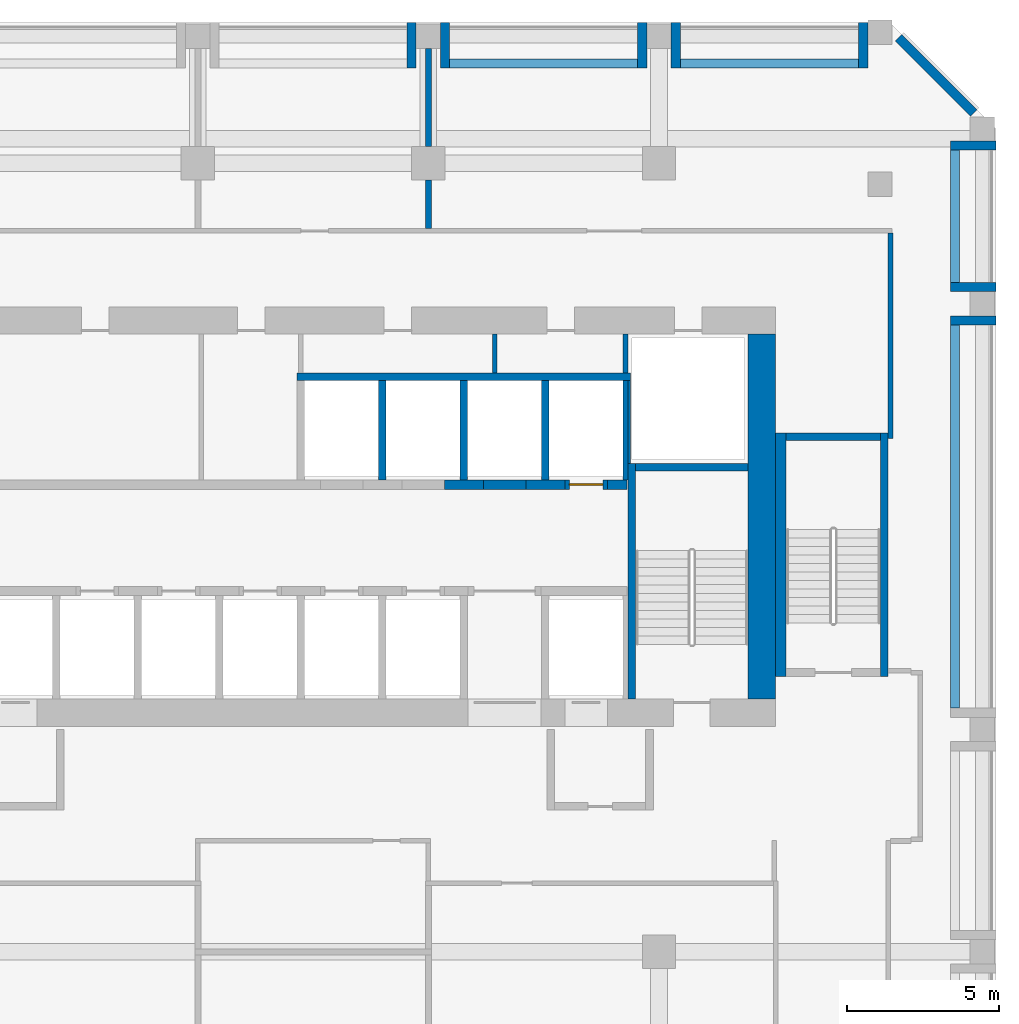
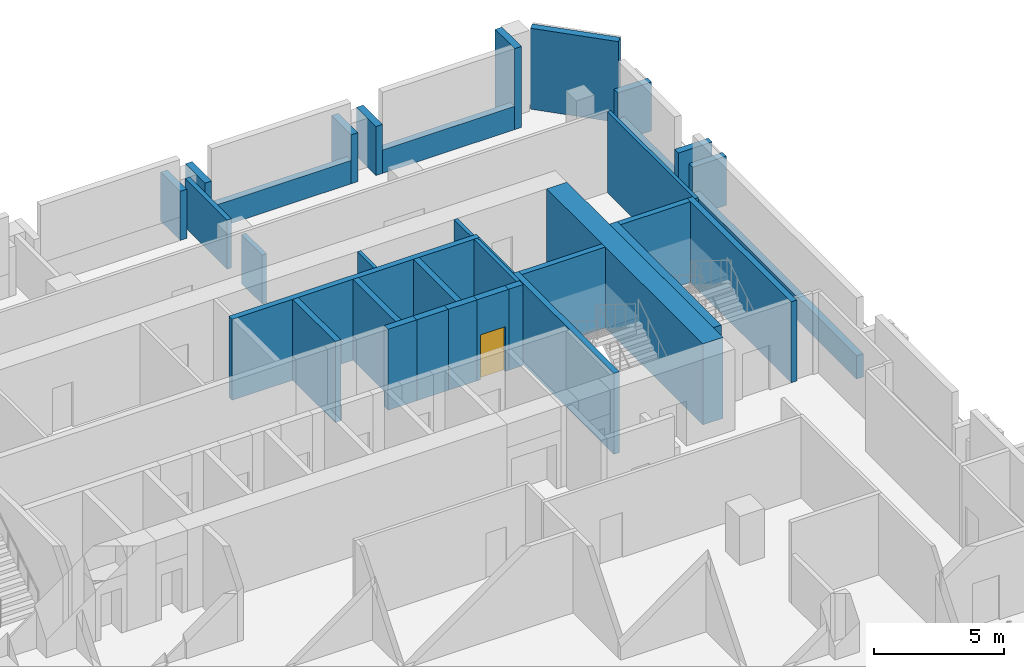
# One storey, part 6 of 10: 35 walls, 1 door, 1 opening.
"""IFC4 building model written with IfcOpenShell, lengths in metres."""

from ifc_helpers import new_model, si_unit, direction, frame, frame_2d, origin, place, context, subcontext, project, spatial, rectangle, extrude, source, transform, mapped, material, layer, layer_set, type_object, element, fill, save


model = new_model("IFC4")

# Units and contexts
model_context = context("Model", 3, precision=1e-05, world=origin(), true_north=direction((0.0, 1.0)))
body_context = subcontext(model_context, "Body", "Model", "MODEL_VIEW")
ifc_project = project(units=[si_unit("LENGTHUNIT", "METRE"), si_unit("AREAUNIT", "SQUARE_METRE"), si_unit("VOLUMEUNIT", "CUBIC_METRE"), si_unit("PLANEANGLEUNIT", "RADIAN"), si_unit("MASSUNIT", "GRAM", prefix="KILO")], contexts=[model_context])

# Site, building, storey
site_placement = place(None, origin())
site = spatial("IfcSite", under=ifc_project, at=site_placement, CompositionType="ELEMENT")
building_placement = place(site_placement, origin())
building = spatial("IfcBuilding", under=site, at=building_placement, Name="Kilnfold Tower and Market Hall", CompositionType="ELEMENT")
storey_placement = place(building_placement, frame((0.0, 0.0, 164.300048828125)))
storey = spatial("IfcBuildingStorey", under=building, at=storey_placement, Name="L38 Plant Transfer Level", CompositionType="ELEMENT", Elevation=164.300048828125)

# Walls
ifc_material_1 = material(Name="Gypsum board on steel studs", Category="steel")
ifc_layer_1 = layer(ifc_material_1, 0.14990234375)
ifc_layer_set_1 = layer_set([ifc_layer_1], Name="Gypsum board on steel studs")
wall_type_1 = type_object("IfcWallType", Name="WALL CORRIDOR 150", PredefinedType="PARTITIONING", material=ifc_layer_set_1)
wall_1_placement = place(storey_placement, frame((21.780029296875, 17.574951171875, 0.0), z_axis=(0.0, 0.0, 1.0), x_axis=(0.0, 1.0, 0.0)))
element("IfcWall", 1, at=wall_1_placement, inside=storey, type_object=wall_type_1, Name="Partition LY25.21", PredefinedType="PARTITIONING", context=body_context, shape_type="SweptSolid", body=[
    extrude(rectangle(XDim=6.75, YDim=0.14990234375, at=frame_2d((3.375, 0.0))), origin(), (0.0, 0.0, 1.0), 3.800048828125),
])
ifc_material_2 = material(Name="Gypsum board on steel studs", Category="steel")
ifc_layer_2 = layer(ifc_material_2, 0.199951171875)
ifc_layer_set_2 = layer_set([ifc_layer_2], Name="Gypsum board on steel studs")
wall_type_2 = type_object("IfcWallType", Name="WALL PARTY 200", PredefinedType="PARTITIONING", material=ifc_layer_set_2)
wall_2_placement = place(storey_placement, frame((6.5830078125, 24.47607421875, 0.0), z_axis=(0.0, 0.0, 1.0), x_axis=(0.0, 1.0, 0.0)))
element("IfcWall", 2, at=wall_2_placement, inside=storey, type_object=wall_type_2, Name="Partition LY25.52", PredefinedType="PARTITIONING", context=body_context, shape_type="SweptSolid", body=[
    extrude(rectangle(XDim=1.598876953125, YDim=0.199951171875, at=frame_2d((0.79931640625, 0.0))), origin(), (0.0, 0.0, 1.0), 2.300048828125),
])
wall_3_placement = place(storey_placement, frame((6.5830078125, 27.175048828125, 0.0), z_axis=(0.0, 0.0, 1.0), x_axis=(0.0, 1.0, 0.0)))
element("IfcWall", 3, at=wall_3_placement, inside=storey, type_object=wall_type_2, Name="Partition LY25.53", PredefinedType="PARTITIONING", context=body_context, shape_type="SweptSolid", body=[
    extrude(rectangle(XDim=3.224853515625, YDim=0.199951171875, at=frame_2d((1.6123046875, 0.0))), origin(), (0.0, 0.0, 1.0), 2.300048828125),
])
ifc_material_3 = material(Name="Concrete C70", Category="concrete")
ifc_layer_3 = layer(ifc_material_3, 0.25)
ifc_layer_set_3 = layer_set([ifc_layer_3], Name="Concrete C70")
wall_type_3 = type_object("IfcWallType", Name="CORE WALL 250 C70", PredefinedType="SHEAR", material=ifc_layer_set_3)
shared_shape_1 = source(origin(), body_context, "Body", "SweptSolid", [
    extrude(rectangle(XDim=7.75, YDim=0.25, at=frame_2d((3.875, 0.0))), origin(), (0.0, 0.0, 1.0), 3.800048828125),
])
wall_4_placement = place(storey_placement, frame((13.27490234375, 9.0, 0.0), z_axis=(0.0, 0.0, 1.0), x_axis=(0.0, 1.0, 0.0)))
element("IfcWall", 4, at=wall_4_placement, inside=storey, type_object=wall_type_3, Name="Stair enclosure ST2", PredefinedType="SHEAR", context=body_context, shape_type="MappedRepresentation", body=[
    mapped(shared_shape_1, transform((0.0, 0.0, 0.0))),
])
shared_shape_2 = source(origin(), body_context, "Body", "SweptSolid", [
    extrude(rectangle(XDim=3.7001953125, YDim=0.25, at=frame_2d((1.85009765625, 0.0))), origin(), (0.0, 0.0, 1.0), 3.800048828125),
])
wall_5_placement = place(storey_placement, frame((13.39990234375, 16.625, 0.0), z_axis=(0.0, 0.0, 1.0), x_axis=(1.0, 0.0, 0.0)))
element("IfcWall", 5, at=wall_5_placement, inside=storey, type_object=wall_type_3, Name="Stair enclosure ST2", PredefinedType="SHEAR", context=body_context, shape_type="MappedRepresentation", body=[
    mapped(shared_shape_2, transform((0.0, 0.0, 0.0))),
])
shared_shape_3 = source(origin(), body_context, "Body", "SweptSolid", [
    extrude(rectangle(XDim=8.0, YDim=0.25, at=frame_2d((4.0, 0.0))), origin(), (0.0, 0.0, 1.0), 3.800048828125),
])
wall_6_placement = place(storey_placement, frame((21.574951171875, 9.75, 0.0), z_axis=(0.0, 0.0, 1.0), x_axis=(0.0, 1.0, 0.0)))
element("IfcWall", 6, at=wall_6_placement, inside=storey, type_object=wall_type_3, Name="Stair enclosure ST5", PredefinedType="SHEAR", context=body_context, shape_type="MappedRepresentation", body=[
    mapped(shared_shape_3, transform((0.0, 0.0, 0.0))),
])
shared_shape_4 = source(origin(), body_context, "Body", "SweptSolid", [
    extrude(rectangle(XDim=3.099853515625, YDim=0.25, at=frame_2d((1.5498046875, 0.0))), origin(), (0.0, 0.0, 1.0), 3.800048828125),
])
wall_7_placement = place(storey_placement, frame((18.35009765625, 17.625, 0.0), z_axis=(0.0, 0.0, 1.0), x_axis=(1.0, 0.0, 0.0)))
element("IfcWall", 7, at=wall_7_placement, inside=storey, type_object=wall_type_3, Name="Stair enclosure ST5", PredefinedType="SHEAR", context=body_context, shape_type="MappedRepresentation", body=[
    mapped(shared_shape_4, transform((0.0, 0.0, 0.0))),
])
ifc_material_4 = material(Name="Concrete C70", Category="concrete")
ifc_layer_4 = layer(ifc_material_4, 0.300048828125)
ifc_layer_set_4 = layer_set([ifc_layer_4], Name="Concrete C70")
wall_type_4 = type_object("IfcWallType", Name="CORE WALL 300 C70", PredefinedType="SHEAR", material=ifc_layer_set_4)
shared_shape_5 = source(origin(), body_context, "Body", "SweptSolid", [
    extrude(rectangle(XDim=1.280029296875, YDim=0.300048828125, at=frame_2d((0.64013671875, 0.0))), origin(), (0.0, 0.0, 1.0), 3.800048828125),
])
wall_8_placement = place(storey_placement, frame((9.7900390625, 16.050048828125, 0.0), z_axis=(0.0, 0.0, 1.0), x_axis=(1.0, 0.0, 0.0)))
element("IfcWall", 8, at=wall_8_placement, inside=storey, type_object=wall_type_4, Name="Core spine wall", PredefinedType="SHEAR", context=body_context, shape_type="MappedRepresentation", body=[
    mapped(shared_shape_5, transform((0.0, 0.0, 0.0))),
])
shared_shape_6 = source(origin(), body_context, "Body", "SweptSolid", [
    extrude(rectangle(XDim=1.27978515625, YDim=0.300048828125, at=frame_2d((0.639892578125, 0.0))), origin(), (0.0, 0.0, 1.0), 3.800048828125),
])
wall_9_placement = place(storey_placement, frame((7.110107421875, 16.050048828125, 0.0), z_axis=(0.0, 0.0, 1.0), x_axis=(1.0, 0.0, 0.0)))
element("IfcWall", 9, at=wall_9_placement, inside=storey, type_object=wall_type_4, Name="Core spine wall", PredefinedType="SHEAR", context=body_context, shape_type="MappedRepresentation", body=[
    mapped(shared_shape_6, transform((0.0, 0.0, 0.0))),
])
shared_shape_7 = source(origin(), body_context, "Body", "SweptSolid", [
    extrude(rectangle(XDim=0.64013671875, YDim=0.300048828125, at=frame_2d((0.320068359375, 0.0))), origin(), (0.0, 0.0, 1.0), 3.800048828125),
])
wall_10_placement = place(storey_placement, frame((12.469970703125, 16.050048828125, 0.0), z_axis=(0.0, 0.0, 1.0), x_axis=(1.0, 0.0, 0.0)))
element("IfcWall", 10, at=wall_10_placement, inside=storey, type_object=wall_type_4, Name="Core spine wall", PredefinedType="SHEAR", context=body_context, shape_type="MappedRepresentation", body=[
    mapped(shared_shape_7, transform((0.0, 0.0, 0.0))),
])
ifc_material_5 = material(Name="Concrete C70", Category="concrete")
ifc_layer_5 = layer(ifc_material_5, 0.89990234375)
ifc_layer_set_5 = layer_set([ifc_layer_5], Name="Concrete C70")
wall_type_5 = type_object("IfcWallType", Name="CORE WALL 900 C70", PredefinedType="SHEAR", material=ifc_layer_set_5)
shared_shape_8 = source(origin(), body_context, "Body", "SweptSolid", [
    extrude(rectangle(XDim=12.0, YDim=0.89990234375, at=frame_2d((6.0, 0.0))), origin(), (0.0, 0.0, 1.0), 3.800048828125),
])
wall_11_placement = place(storey_placement, frame((17.550048828125, 9.0, 0.0), z_axis=(0.0, 0.0, 1.0), x_axis=(0.0, 1.0, 0.0)))
element("IfcWall", 11, at=wall_11_placement, inside=storey, type_object=wall_type_5, Name="Core outer wall east", PredefinedType="SHEAR", context=body_context, shape_type="MappedRepresentation", body=[
    mapped(shared_shape_8, transform((0.0, 0.0, 0.0))),
])
ifc_material_6 = material(Name="Concrete C70", Category="concrete")
ifc_layer_6 = layer(ifc_material_6, 0.35009765625)
ifc_layer_set_6 = layer_set([ifc_layer_6], Name="Concrete C70")
wall_type_6 = type_object("IfcWallType", Name="CORE WALL 350 C70", PredefinedType="SHEAR", material=ifc_layer_set_6)
shared_shape_9 = source(origin(), body_context, "Body", "SweptSolid", [
    extrude(rectangle(XDim=8.0, YDim=0.35009765625, at=frame_2d((4.0, 0.0))), origin(), (0.0, 0.0, 1.0), 3.800048828125),
])
wall_12_placement = place(storey_placement, frame((18.175048828125, 9.75, 0.0), z_axis=(0.0, 0.0, 1.0), x_axis=(0.0, 1.0, 0.0)))
element("IfcWall", 12, at=wall_12_placement, inside=storey, type_object=wall_type_6, Name="Stair enclosure ST5", PredefinedType="SHEAR", context=body_context, shape_type="MappedRepresentation", body=[
    mapped(shared_shape_9, transform((0.0, 0.0, 0.0))),
])
ifc_material_7 = material(Name="Precast concrete C50/60", Category="concrete")
ifc_layer_7 = layer(ifc_material_7, 0.300048828125)
ifc_layer_set_7 = layer_set([ifc_layer_7], Name="Precast concrete C50/60")
wall_type_7 = type_object("IfcWallType", Name="PRECAST WALL 300", PredefinedType="SOLIDWALL", material=ifc_layer_set_7)
shared_shape_10 = source(origin(), body_context, "Body", "SweptSolid", [
    extrude(rectangle(XDim=1.5, YDim=0.300048828125, at=frame_2d((0.75, 0.0))), origin(), (0.0, 0.0, 1.0), 2.300048828125),
])
for number, where, z_axis, x_axis, name in (
    (13, (25.25, 21.449951171875, 0.0), (0.0, 0.0, 1.0), (-1.0, 0.0, 0.0), "Plant wall L38 E"),
    (14, (25.25, 22.550048828125, 0.0), (0.0, 0.0, 1.0), (-1.0, 0.0, 0.0), "Plant wall L38 E"),
    (15, (25.25, 27.199951171875, 0.0), (0.0, 0.0, 1.0), (-1.0, 0.0, 0.0), "Plant wall L38 E"),
    (16, (14.716796875, 31.25, 0.0), (0.0, 0.0, 1.0), (0.0, -1.0, 0.0), "Plant wall L38 N"),
    (17, (13.61669921875, 31.25, 0.0), (0.0, 0.0, 1.0), (0.0, -1.0, 0.0), "Plant wall L38 N"),
    (18, (7.13330078125, 31.25, 0.0), (0.0, 0.0, 1.0), (0.0, -1.0, 0.0), "Plant wall L38 N"),
    (19, (6.033203125, 31.25, 0.0), (0.0, 0.0, 1.0), (0.0, -1.0, 0.0), "Plant wall L38 N"),
):
    element("IfcWall", number, at=place(storey_placement, frame(where, z_axis=z_axis, x_axis=x_axis)), inside=storey, type_object=wall_type_7, Name=name, PredefinedType="SOLIDWALL", context=body_context, shape_type="MappedRepresentation", body=[
        mapped(shared_shape_10, transform((0.0, 0.0, 0.0))),
    ])
shared_shape_11 = source(origin(), body_context, "Body", "SweptSolid", [
    extrude(rectangle(XDim=1.5, YDim=0.300048828125, at=frame_2d((0.75, 0.0))), origin(), (0.0, 0.0, 1.0), 3.800048828125),
])
wall_13_placement = place(storey_placement, frame((20.8818359375, 31.25, 0.0), z_axis=(0.0, 0.0, 1.0), x_axis=(0.0, -1.0, 0.0)))
element("IfcWall", 20, at=wall_13_placement, inside=storey, type_object=wall_type_7, Name="Plant wall L38 N", PredefinedType="SOLIDWALL", context=body_context, shape_type="MappedRepresentation", body=[
    mapped(shared_shape_11, transform((0.0, 0.0, 0.0))),
])
shared_shape_12 = source(origin(), body_context, "Body", "SweptSolid", [
    extrude(rectangle(XDim=6.18359375, YDim=0.300048828125, at=frame_2d((3.091796875, 0.0))), origin(), (0.0, 0.0, 1.0), 1.099853515625),
])
wall_14_placement = place(storey_placement, frame((13.466796875, 29.89990234375, 0.0), z_axis=(0.0, 0.0, 1.0), x_axis=(-1.0, 0.0, 0.0)))
element("IfcWall", 21, at=wall_14_placement, inside=storey, type_object=wall_type_7, Name="Knee wall L38 N", PredefinedType="SOLIDWALL", context=body_context, shape_type="MappedRepresentation", body=[
    mapped(shared_shape_12, transform((0.0, 0.0, 0.0))),
])
shared_shape_13 = source(origin(), body_context, "Body", "SweptSolid", [
    extrude(rectangle(XDim=12.60009765625, YDim=0.300048828125, at=frame_2d((6.300048828125, 0.0))), origin(), (0.0, 0.0, 1.0), 1.099853515625),
])
wall_15_placement = place(storey_placement, frame((23.89990234375, 8.699951171875, 0.0), z_axis=(0.0, 0.0, 1.0), x_axis=(0.0, 1.0, 0.0)))
element("IfcWall", 22, at=wall_15_placement, inside=storey, type_object=wall_type_7, Name="Knee wall L38 E", PredefinedType="SOLIDWALL", context=body_context, shape_type="MappedRepresentation", body=[
    mapped(shared_shape_13, transform((0.0, 0.0, 0.0))),
])
shared_shape_14 = source(origin(), body_context, "Body", "SweptSolid", [
    extrude(rectangle(XDim=4.35009765625, YDim=0.300048828125, at=frame_2d((2.175048828125, 0.0))), origin(), (0.0, 0.0, 1.0), 1.099853515625),
])
wall_16_placement = place(storey_placement, frame((23.89990234375, 22.699951171875, 0.0), z_axis=(0.0, 0.0, 1.0), x_axis=(0.0, 1.0, 0.0)))
element("IfcWall", 23, at=wall_16_placement, inside=storey, type_object=wall_type_7, Name="Knee wall L38 E", PredefinedType="SOLIDWALL", context=body_context, shape_type="MappedRepresentation", body=[
    mapped(shared_shape_14, transform((0.0, 0.0, 0.0))),
])
shared_shape_15 = source(origin(), body_context, "Body", "SweptSolid", [
    extrude(rectangle(XDim=3.500244140625, YDim=0.300048828125, at=frame_2d((1.75, 0.0))), origin(), (0.0, 0.0, 1.0), 3.800048828125),
])
wall_17_placement = place(storey_placement, frame((24.518798828125, 28.268798828125, 0.0), z_axis=(0.0, 0.0, 1.0), x_axis=(-0.70707190453, 0.707141656123, 0.0)))
element("IfcWall", 24, at=wall_17_placement, inside=storey, type_object=wall_type_7, Name="Plant wall L38 NE", PredefinedType="SOLIDWALL", context=body_context, shape_type="MappedRepresentation", body=[
    mapped(shared_shape_15, transform((0.0, 0.0, 0.0))),
])
shared_shape_16 = source(origin(), body_context, "Body", "SweptSolid", [
    extrude(rectangle(XDim=5.864990234375, YDim=0.300048828125, at=frame_2d((2.9326171875, 0.0))), origin(), (0.0, 0.0, 1.0), 1.099853515625),
])
wall_18_placement = place(storey_placement, frame((20.731689453125, 29.89990234375, 0.0), z_axis=(0.0, 0.0, 1.0), x_axis=(-1.0, 0.0, 0.0)))
element("IfcWall", 25, at=wall_18_placement, inside=storey, type_object=wall_type_7, Name="Knee wall L38 N", PredefinedType="SOLIDWALL", context=body_context, shape_type="MappedRepresentation", body=[
    mapped(shared_shape_16, transform((0.0, 0.0, 0.0))),
])

# Wall, opening, door
ifc_material_8 = material(Name="Gypsum shaft wall system")
ifc_layer_8 = layer(ifc_material_8, 0.300048828125)
ifc_layer_set_8 = layer_set([ifc_layer_8], Name="Gypsum shaft wall system")
wall_type_8 = type_object("IfcWallType", Name="SHAFT WALL 300", PredefinedType="PARTITIONING", material=ifc_layer_set_8)
shared_shape_17 = source(origin(), body_context, "Body", "SweptSolid", [
    extrude(rectangle(XDim=1.39990234375, YDim=0.300048828125, at=frame_2d((0.699951171875, 0.0))), origin(), (0.0, 0.0, 1.0), 3.800048828125),
])
wall_19_placement = place(storey_placement, frame((11.070068359375, 16.050048828125, 0.0), z_axis=(0.0, 0.0, 1.0), x_axis=(1.0, 0.0, 0.0)))
wall_19 = element("IfcWall", 26, at=wall_19_placement, inside=storey, type_object=wall_type_8, Name="Lift shaft front wall", PredefinedType="PARTITIONING", context=body_context, shape_type="MappedRepresentation", body=[
    mapped(shared_shape_17, transform((0.0, 0.0, 0.0))),
])
opening_placement = place(wall_19_placement, frame((0.14990234375, 0.0, 0.0)))
opening = element("IfcOpeningElement", 27, at=opening_placement, cuts=wall_19, Name="Opening LD2", PredefinedType="OPENING", context=body_context, shape_type="SweptSolid", body=[
    extrude(rectangle(XDim=1.10009765625, YDim=2.10009765625, at=frame_2d((0.550048828125, 1.050048828125))), frame((0.0, 0.16015625, 0.0), z_axis=(0.0, -1.0, 0.0), x_axis=(1.0, 0.0, 0.0)), (0.0, 0.0, 1.0), 0.320068359375),
])
ifc_material_9 = material(Name="Steel door set with fire-resisting leaf", Category="steel")
door_type = type_object("IfcDoorType", Name="LANDING DOOR 1100X2100", OperationType="NOTDEFINED", PredefinedType="DOOR", material=ifc_material_9)
door_placement = place(opening_placement, origin())
door = element("IfcDoor", 28, at=door_placement, inside=storey, type_object=door_type, Name="Landing door MR6", OperationType="DOUBLE_DOOR_SLIDING", OverallHeight=2.10009765625, OverallWidth=1.10009765625, PredefinedType="DOOR", context=body_context, shape_type="SweptSolid", body=[
    extrude(rectangle(XDim=1.10009765625, YDim=2.10009765625, at=frame_2d((0.550048828125, 1.050048828125))), frame((0.0, 0.02490234375, 0.0), z_axis=(0.0, -1.0, 0.0), x_axis=(1.0, 0.0, 0.0)), (0.0, 0.0, 1.0), 0.050048828125),
])
fill(opening, door)

# Walls
shared_shape_18 = source(origin(), body_context, "Body", "SweptSolid", [
    extrude(rectangle(XDim=1.400146484375, YDim=0.300048828125, at=frame_2d((0.7001953125, 0.0))), origin(), (0.0, 0.0, 1.0), 3.800048828125),
])
wall_20_placement = place(storey_placement, frame((8.389892578125, 16.050048828125, 0.0), z_axis=(0.0, 0.0, 1.0), x_axis=(1.0, 0.0, 0.0)))
element("IfcWall", 29, at=wall_20_placement, inside=storey, type_object=wall_type_8, Name="Lift shaft front wall", PredefinedType="PARTITIONING", context=body_context, shape_type="MappedRepresentation", body=[
    mapped(shared_shape_18, transform((0.0, 0.0, 0.0))),
])
ifc_material_10 = material(Name="Gypsum shaft wall system")
ifc_layer_9 = layer(ifc_material_10, 0.1650390625)
ifc_layer_set_9 = layer_set([ifc_layer_9], Name="Gypsum shaft wall system")
wall_type_9 = type_object("IfcWallType", Name="SHAFT WALL 165", PredefinedType="PARTITIONING", material=ifc_layer_set_9)
shared_shape_19 = source(origin(), body_context, "Body", "SweptSolid", [
    extrude(rectangle(XDim=3.275146484375, YDim=0.1650390625, at=frame_2d((1.6376953125, 0.0))), origin(), (0.0, 0.0, 1.0), 3.800048828125),
])
wall_21_placement = place(storey_placement, frame((13.0673828125, 16.199951171875, 0.0), z_axis=(0.0, 0.0, 1.0), x_axis=(0.0, 1.0, 0.0)))
element("IfcWall", 30, at=wall_21_placement, inside=storey, type_object=wall_type_9, Name="Lift shaft wall", PredefinedType="PARTITIONING", context=body_context, shape_type="MappedRepresentation", body=[
    mapped(shared_shape_19, transform((0.0, 0.0, 0.0))),
])
shared_shape_20 = source(origin(), body_context, "Body", "SweptSolid", [
    extrude(rectangle(XDim=1.27490234375, YDim=0.1650390625, at=frame_2d((0.637451171875, 0.0))), origin(), (0.0, 0.0, 1.0), 3.800048828125),
])
wall_22_placement = place(storey_placement, frame((13.0673828125, 19.72509765625, 0.0), z_axis=(0.0, 0.0, 1.0), x_axis=(0.0, 1.0, 0.0)))
element("IfcWall", 31, at=wall_22_placement, inside=storey, type_object=wall_type_9, Name="Lift shaft wall", PredefinedType="PARTITIONING", context=body_context, shape_type="MappedRepresentation", body=[
    mapped(shared_shape_20, transform((0.0, 0.0, 0.0))),
])
ifc_material_11 = material(Name="Gypsum shaft wall system")
ifc_layer_10 = layer(ifc_material_11, 0.25)
ifc_layer_set_10 = layer_set([ifc_layer_10], Name="Gypsum shaft wall system")
wall_type_10 = type_object("IfcWallType", Name="SHAFT WALL 250", PredefinedType="PARTITIONING", material=ifc_layer_set_10)
shared_shape_21 = source(origin(), body_context, "Body", "SweptSolid", [
    extrude(rectangle(XDim=3.275146484375, YDim=0.25, at=frame_2d((1.6376953125, 0.0))), origin(), (0.0, 0.0, 1.0), 3.800048828125),
])
for number, where, z_axis, x_axis, name in (
    (32, (10.429931640625, 16.199951171875, 0.0), (0.0, 0.0, 1.0), (0.0, 1.0, 0.0), "Lift shaft wall"),
    (33, (5.070068359375, 16.199951171875, 0.0), (0.0, 0.0, 1.0), (0.0, 1.0, 0.0), "Lift shaft wall"),
    (34, (7.75, 16.199951171875, 0.0), (0.0, 0.0, 1.0), (0.0, 1.0, 0.0), "Lift shaft wall"),
):
    element("IfcWall", number, at=place(storey_placement, frame(where, z_axis=z_axis, x_axis=x_axis)), inside=storey, type_object=wall_type_10, Name=name, PredefinedType="PARTITIONING", context=body_context, shape_type="MappedRepresentation", body=[
        mapped(shared_shape_21, transform((0.0, 0.0, 0.0))),
    ])
ifc_material_12 = material(Name="Gypsum shaft wall system")
ifc_layer_11 = layer(ifc_material_12, 0.0849609375)
ifc_layer_set_11 = layer_set([ifc_layer_11], Name="Gypsum shaft wall system")
wall_type_11 = type_object("IfcWallType", Name="SHAFT WALL 85", PredefinedType="PARTITIONING", material=ifc_layer_set_11)
shared_shape_22 = source(origin(), body_context, "Body", "SweptSolid", [
    extrude(rectangle(XDim=2.72509765625, YDim=0.0849609375, at=frame_2d((1.362548828125, 0.0))), origin(), (0.0, 0.0, 1.0), 3.800048828125),
])
wall_23_placement = place(storey_placement, frame((13.1923828125, 16.75, 0.0), z_axis=(0.0, 0.0, 1.0), x_axis=(0.0, 1.0, 0.0)))
element("IfcWall", 35, at=wall_23_placement, inside=storey, type_object=wall_type_11, Name="Lift shaft wall", PredefinedType="PARTITIONING", context=body_context, shape_type="MappedRepresentation", body=[
    mapped(shared_shape_22, transform((0.0, 0.0, 0.0))),
])
ifc_material_13 = material(Name="Gypsum shaft wall system")
ifc_layer_12 = layer(ifc_material_13, 0.14990234375)
ifc_layer_set_12 = layer_set([ifc_layer_12], Name="Gypsum shaft wall system")
wall_type_12 = type_object("IfcWallType", Name="ROOM WALL 150", PredefinedType="PARTITIONING", material=ifc_layer_set_12)
shared_shape_23 = source(origin(), body_context, "Body", "SweptSolid", [
    extrude(rectangle(XDim=1.27490234375, YDim=0.14990234375, at=frame_2d((0.637451171875, 0.0))), origin(), (0.0, 0.0, 1.0), 3.800048828125),
])
wall_24_placement = place(storey_placement, frame((8.768310546875, 19.72509765625, 0.0), z_axis=(0.0, 0.0, 1.0), x_axis=(0.0, 1.0, 0.0)))
element("IfcWall", 36, at=wall_24_placement, inside=storey, type_object=wall_type_12, Name="Core room wall", PredefinedType="PARTITIONING", context=body_context, shape_type="MappedRepresentation", body=[
    mapped(shared_shape_23, transform((0.0, 0.0, 0.0))),
])
shared_shape_24 = source(origin(), body_context, "Body", "SweptSolid", [
    extrude(rectangle(XDim=10.97021484375, YDim=0.25, at=frame_2d((5.485107421875, 0.0))), origin(), (0.0, 0.0, 1.0), 3.800048828125),
])
wall_25_placement = place(storey_placement, frame((2.264892578125, 19.60009765625, 0.0), z_axis=(0.0, 0.0, 1.0), x_axis=(1.0, 0.0, 0.0)))
element("IfcWall", 37, at=wall_25_placement, inside=storey, type_object=wall_type_10, Name="Lift shaft wall", PredefinedType="PARTITIONING", context=body_context, shape_type="MappedRepresentation", body=[
    mapped(shared_shape_24, transform((0.0, 0.0, 0.0))),
])

save(model, "model.ifc")
